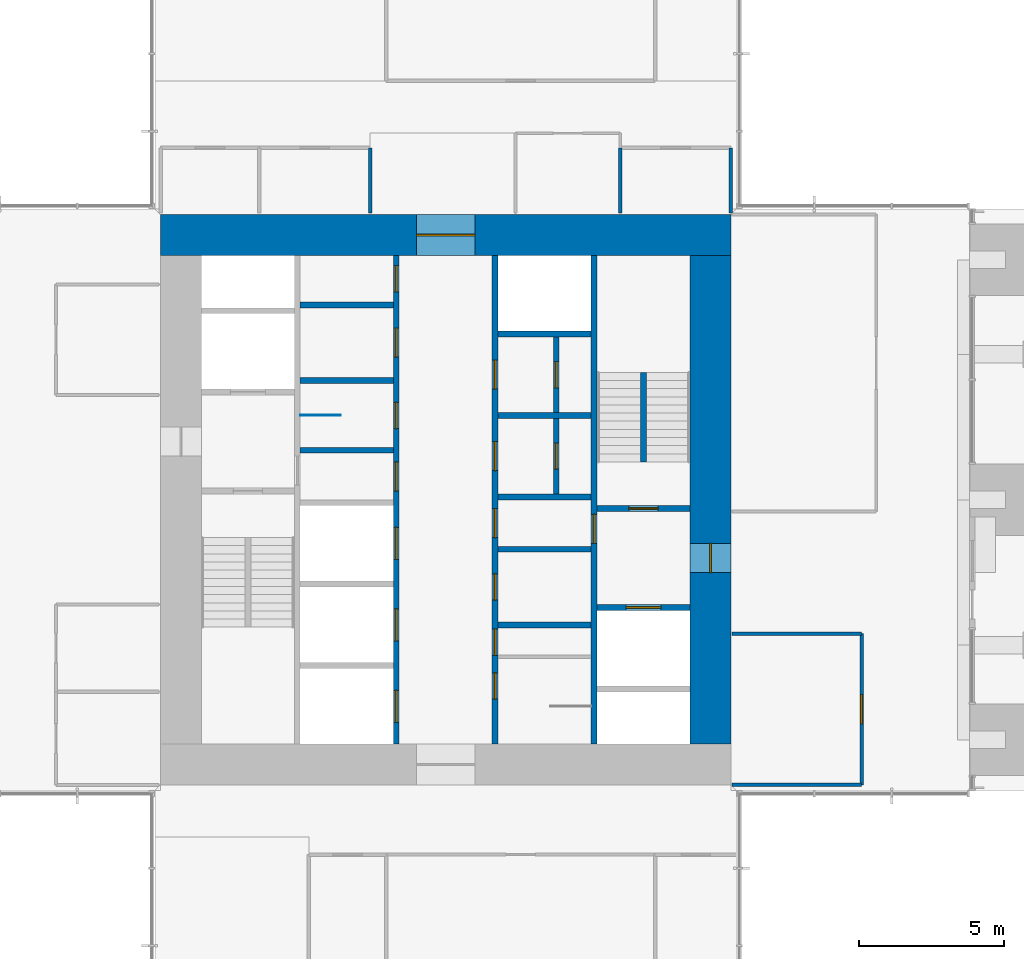
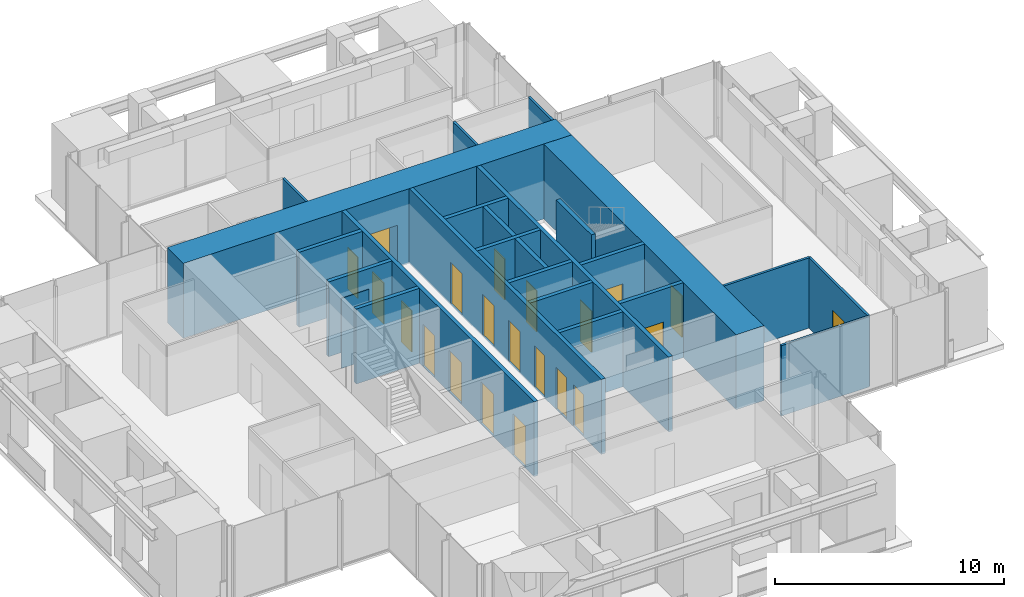
# One storey, part 13 of 17: 25 walls, 21 doors, 21 openings.
"""IFC4 building model written with IfcOpenShell, lengths in metres."""

from ifc_helpers import new_model, si_unit, direction, frame, frame_2d, origin, place, context, subcontext, project, spatial, rectangle, extrude, material, layer, layer_set, type_object, element, fill, save


model = new_model("IFC4")

# Units and contexts
model_context = context("Model", 3, precision=1e-05, world=origin(), true_north=direction((0.0, 1.0)))
body_context = subcontext(model_context, "Body", "Model", "MODEL_VIEW")
ifc_project = project(units=[si_unit("LENGTHUNIT", "METRE"), si_unit("AREAUNIT", "SQUARE_METRE"), si_unit("VOLUMEUNIT", "CUBIC_METRE"), si_unit("PLANEANGLEUNIT", "RADIAN"), si_unit("MASSUNIT", "GRAM", prefix="KILO")], contexts=[model_context])

# Site, building, storey
site_placement = place(None, origin())
site = spatial("IfcSite", under=ifc_project, at=site_placement, CompositionType="ELEMENT")
building_placement = place(site_placement, origin())
building = spatial("IfcBuilding", under=site, at=building_placement, Name="Svetlomir Tower", CompositionType="ELEMENT")
storey_placement = place(building_placement, frame((0.0, 0.0, 218.5)))
storey = spatial("IfcBuildingStorey", under=building, at=storey_placement, Name="L52", CompositionType="ELEMENT", Elevation=218.5)

# Wall, openings, doors
ifc_material_1 = material(Name="Concrete C60/75", Category="concrete")
ifc_layer_1 = layer(ifc_material_1, 0.199951171875)
ifc_layer_set_1 = layer_set([ifc_layer_1], Name="Concrete C60/75")
wall_type_1 = type_object("IfcWallType", Name="CORE INNER WALL 200", PredefinedType="SHEAR", material=ifc_layer_set_1)
wall_1_placement = place(storey_placement, frame((19.300048828125, 12.60009765625, -0.050048828125), z_axis=(0.0, 0.0, 1.0), x_axis=(0.0, 1.0, 0.0)))
wall_1 = element("IfcWall", 1, at=wall_1_placement, inside=storey, type_object=wall_type_1, Name="Core inner wall 19.3 L52", PredefinedType="SHEAR", context=body_context, shape_type="SweptSolid", body=[
    extrude(rectangle(XDim=16.7998046875, YDim=0.199951171875, at=frame_2d((8.39990234375, 0.0))), origin(), (0.0, 0.0, 1.0), 4.0),
])
opening_1_placement = place(wall_1_placement, frame((8.699951171875, 0.0, 0.050048828125)))
opening_1 = element("IfcOpeningElement", 2, at=opening_1_placement, cuts=wall_1, Name="Opening DC", PredefinedType="OPENING", context=body_context, shape_type="SweptSolid", body=[
    extrude(rectangle(XDim=1.0, YDim=2.199951171875, at=frame_2d((0.5, 1.10009765625))), frame((0.0, 0.10986328125, 0.0), z_axis=(0.0, -1.0, 0.0), x_axis=(1.0, 0.0, 0.0)), (0.0, 0.0, 1.0), 0.219970703125),
])
opening_2_placement = place(wall_1_placement, frame((10.85009765625, 0.0, 0.050048828125)))
opening_2 = element("IfcOpeningElement", 3, at=opening_2_placement, cuts=wall_1, Name="Opening DW", PredefinedType="OPENING", context=body_context, shape_type="SweptSolid", body=[
    extrude(rectangle(XDim=0.89990234375, YDim=2.199951171875, at=frame_2d((0.449951171875, 1.10009765625))), frame((0.0, 0.10986328125, 0.0), z_axis=(0.0, -1.0, 0.0), x_axis=(1.0, 0.0, 0.0)), (0.0, 0.0, 1.0), 0.219970703125),
])
opening_3_placement = place(wall_1_placement, frame((13.300048828125, 0.0, 0.050048828125)))
opening_3 = element("IfcOpeningElement", 4, at=opening_3_placement, cuts=wall_1, Name="Opening DC", PredefinedType="OPENING", context=body_context, shape_type="SweptSolid", body=[
    extrude(rectangle(XDim=1.0, YDim=2.199951171875, at=frame_2d((0.5, 1.10009765625))), frame((0.0, 0.10986328125, 0.0), z_axis=(0.0, -1.0, 0.0), x_axis=(1.0, 0.0, 0.0)), (0.0, 0.0, 1.0), 0.219970703125),
])
opening_4_placement = place(wall_1_placement, frame((15.550048828125, 0.0, 0.050048828125)))
opening_4 = element("IfcOpeningElement", 5, at=opening_4_placement, cuts=wall_1, Name="Opening DW", PredefinedType="OPENING", context=body_context, shape_type="SweptSolid", body=[
    extrude(rectangle(XDim=0.89990234375, YDim=2.199951171875, at=frame_2d((0.449951171875, 1.10009765625))), frame((0.0, 0.10986328125, 0.0), z_axis=(0.0, -1.0, 0.0), x_axis=(1.0, 0.0, 0.0)), (0.0, 0.0, 1.0), 0.219970703125),
])
opening_5_placement = place(wall_1_placement, frame((0.75, 0.0, 0.050048828125)))
opening_5 = element("IfcOpeningElement", 6, at=opening_5_placement, cuts=wall_1, Name="Opening LD", PredefinedType="OPENING", context=body_context, shape_type="SweptSolid", body=[
    extrude(rectangle(XDim=1.10009765625, YDim=2.199951171875, at=frame_2d((0.550048828125, 1.10009765625))), frame((0.0, 0.10986328125, 0.0), z_axis=(0.0, -1.0, 0.0), x_axis=(1.0, 0.0, 0.0)), (0.0, 0.0, 1.0), 0.219970703125),
])
opening_6_placement = place(wall_1_placement, frame((3.550048828125, 0.0, 0.050048828125)))
opening_6 = element("IfcOpeningElement", 7, at=opening_6_placement, cuts=wall_1, Name="Opening LD", PredefinedType="OPENING", context=body_context, shape_type="SweptSolid", body=[
    extrude(rectangle(XDim=1.10009765625, YDim=2.199951171875, at=frame_2d((0.550048828125, 1.10009765625))), frame((0.0, 0.10986328125, 0.0), z_axis=(0.0, -1.0, 0.0), x_axis=(1.0, 0.0, 0.0)), (0.0, 0.0, 1.0), 0.219970703125),
])
opening_7_placement = place(wall_1_placement, frame((6.35009765625, 0.0, 0.050048828125)))
opening_7 = element("IfcOpeningElement", 8, at=opening_7_placement, cuts=wall_1, Name="Opening LD", PredefinedType="OPENING", context=body_context, shape_type="SweptSolid", body=[
    extrude(rectangle(XDim=1.10009765625, YDim=2.199951171875, at=frame_2d((0.550048828125, 1.10009765625))), frame((0.0, 0.10986328125, 0.0), z_axis=(0.0, -1.0, 0.0), x_axis=(1.0, 0.0, 0.0)), (0.0, 0.0, 1.0), 0.219970703125),
])
ifc_material_2 = material(Name="Timber fire door", Category="wood")
door_type_1 = type_object("IfcDoorType", Name="DOOR DC 1000x2200", OperationType="SINGLE_SWING_LEFT", PredefinedType="DOOR", material=ifc_material_2)
door_1_placement = place(opening_1_placement, origin())
door_1 = element("IfcDoor", 9, at=door_1_placement, inside=storey, type_object=door_type_1, Name="Core corridor west lobby door L52", OperationType="SINGLE_SWING_RIGHT", OverallHeight=2.199951171875, OverallWidth=1.0, PredefinedType="DOOR", context=body_context, shape_type="SweptSolid", body=[
    extrude(rectangle(XDim=1.0, YDim=2.199951171875, at=frame_2d((0.5, 1.10009765625))), frame((0.0, 0.02490234375, 0.0), z_axis=(0.0, -1.0, 0.0), x_axis=(1.0, 0.0, 0.0)), (0.0, 0.0, 1.0), 0.050048828125),
])
fill(opening_1, door_1)
door_2_placement = place(opening_3_placement, origin())
door_2 = element("IfcDoor", 10, at=door_2_placement, inside=storey, type_object=door_type_1, Name="Accessible WC door L52", OperationType="SINGLE_SWING_LEFT", OverallHeight=2.199951171875, OverallWidth=1.0, PredefinedType="DOOR", context=body_context, shape_type="SweptSolid", body=[
    extrude(rectangle(XDim=1.0, YDim=2.199951171875, at=frame_2d((0.5, 1.10009765625))), frame((0.0, 0.02490234375, 0.0), z_axis=(0.0, -1.0, 0.0), x_axis=(1.0, 0.0, 0.0)), (0.0, 0.0, 1.0), 0.050048828125),
])
fill(opening_3, door_2)
ifc_material_3 = material(Name="Timber fire door", Category="wood")
door_type_2 = type_object("IfcDoorType", Name="DOOR DW 900x2200", OperationType="SINGLE_SWING_LEFT", PredefinedType="DOOR", material=ifc_material_3)
door_3_placement = place(opening_2_placement, origin())
door_3 = element("IfcDoor", 11, at=door_3_placement, inside=storey, type_object=door_type_2, Name="Female WC door L52", OperationType="SINGLE_SWING_RIGHT", OverallHeight=2.199951171875, OverallWidth=0.89990234375, PredefinedType="DOOR", context=body_context, shape_type="SweptSolid", body=[
    extrude(rectangle(XDim=0.89990234375, YDim=2.199951171875, at=frame_2d((0.449951171875, 1.10009765625))), frame((0.0, 0.02490234375, 0.0), z_axis=(0.0, -1.0, 0.0), x_axis=(1.0, 0.0, 0.0)), (0.0, 0.0, 1.0), 0.050048828125),
])
fill(opening_2, door_3)
door_4_placement = place(opening_4_placement, origin())
door_4 = element("IfcDoor", 12, at=door_4_placement, inside=storey, type_object=door_type_2, Name="Cleaner's store door L52", OperationType="SINGLE_SWING_RIGHT", OverallHeight=2.199951171875, OverallWidth=0.89990234375, PredefinedType="DOOR", context=body_context, shape_type="SweptSolid", body=[
    extrude(rectangle(XDim=0.89990234375, YDim=2.199951171875, at=frame_2d((0.449951171875, 1.10009765625))), frame((0.0, 0.02490234375, 0.0), z_axis=(0.0, -1.0, 0.0), x_axis=(1.0, 0.0, 0.0)), (0.0, 0.0, 1.0), 0.050048828125),
])
fill(opening_4, door_4)
ifc_material_4 = material(Name="Stainless steel landing door", Category="steel")
door_type_3 = type_object("IfcDoorType", Name="LIFT LANDING DOOR LD 1100x2200", OperationType="DOUBLE_DOOR_SLIDING", PredefinedType="DOOR", material=ifc_material_4)
door_5_placement = place(opening_5_placement, origin())
door_5 = element("IfcDoor", 13, at=door_5_placement, inside=storey, type_object=door_type_3, Name="Landing door lift LC1 L52", OperationType="DOUBLE_DOOR_SLIDING", OverallHeight=2.199951171875, OverallWidth=1.10009765625, PredefinedType="DOOR", context=body_context, shape_type="SweptSolid", body=[
    extrude(rectangle(XDim=1.10009765625, YDim=2.199951171875, at=frame_2d((0.550048828125, 1.10009765625))), frame((0.0, 0.02490234375, 0.0), z_axis=(0.0, -1.0, 0.0), x_axis=(1.0, 0.0, 0.0)), (0.0, 0.0, 1.0), 0.050048828125),
])
fill(opening_5, door_5)
door_6_placement = place(opening_6_placement, origin())
door_6 = element("IfcDoor", 14, at=door_6_placement, inside=storey, type_object=door_type_3, Name="Landing door lift LC2 L52", OperationType="DOUBLE_DOOR_SLIDING", OverallHeight=2.199951171875, OverallWidth=1.10009765625, PredefinedType="DOOR", context=body_context, shape_type="SweptSolid", body=[
    extrude(rectangle(XDim=1.10009765625, YDim=2.199951171875, at=frame_2d((0.550048828125, 1.10009765625))), frame((0.0, 0.02490234375, 0.0), z_axis=(0.0, -1.0, 0.0), x_axis=(1.0, 0.0, 0.0)), (0.0, 0.0, 1.0), 0.050048828125),
])
fill(opening_6, door_6)
door_7_placement = place(opening_7_placement, origin())
door_7 = element("IfcDoor", 15, at=door_7_placement, inside=storey, type_object=door_type_3, Name="Landing door lift LC3 L52", OperationType="DOUBLE_DOOR_SLIDING", OverallHeight=2.199951171875, OverallWidth=1.10009765625, PredefinedType="DOOR", context=body_context, shape_type="SweptSolid", body=[
    extrude(rectangle(XDim=1.10009765625, YDim=2.199951171875, at=frame_2d((0.550048828125, 1.10009765625))), frame((0.0, 0.02490234375, 0.0), z_axis=(0.0, -1.0, 0.0), x_axis=(1.0, 0.0, 0.0)), (0.0, 0.0, 1.0), 0.050048828125),
])
fill(opening_7, door_7)

wall_2_placement = place(storey_placement, frame((22.699951171875, 12.60009765625, -0.050048828125), z_axis=(0.0, 0.0, 1.0), x_axis=(0.0, 1.0, 0.0)))
wall_2 = element("IfcWall", 16, at=wall_2_placement, inside=storey, type_object=wall_type_1, Name="Core inner wall 22.7 L52", PredefinedType="SHEAR", context=body_context, shape_type="SweptSolid", body=[
    extrude(rectangle(XDim=16.7998046875, YDim=0.199951171875, at=frame_2d((8.39990234375, 0.0))), origin(), (0.0, 0.0, 1.0), 4.0),
])
opening_8_placement = place(wall_2_placement, frame((3.050048828125, 0.0, 0.050048828125)))
opening_8 = element("IfcOpeningElement", 17, at=opening_8_placement, cuts=wall_2, Name="Opening DW", PredefinedType="OPENING", context=body_context, shape_type="SweptSolid", body=[
    extrude(rectangle(XDim=0.89990234375, YDim=2.199951171875, at=frame_2d((0.449951171875, 1.10009765625))), frame((0.0, 0.10986328125, 0.0), z_axis=(0.0, -1.0, 0.0), x_axis=(1.0, 0.0, 0.0)), (0.0, 0.0, 1.0), 0.219970703125),
])
opening_9_placement = place(wall_2_placement, frame((7.10009765625, 0.0, 0.050048828125)))
opening_9 = element("IfcOpeningElement", 18, at=opening_9_placement, cuts=wall_2, Name="Opening DC", PredefinedType="OPENING", context=body_context, shape_type="SweptSolid", body=[
    extrude(rectangle(XDim=1.0, YDim=2.199951171875, at=frame_2d((0.5, 1.10009765625))), frame((0.0, 0.10986328125, 0.0), z_axis=(0.0, -1.0, 0.0), x_axis=(1.0, 0.0, 0.0)), (0.0, 0.0, 1.0), 0.219970703125),
])
opening_10_placement = place(wall_2_placement, frame((1.550048828125, 0.0, 0.050048828125)))
opening_10 = element("IfcOpeningElement", 19, at=opening_10_placement, cuts=wall_2, Name="Opening DW", PredefinedType="OPENING", context=body_context, shape_type="SweptSolid", body=[
    extrude(rectangle(XDim=0.89990234375, YDim=2.199951171875, at=frame_2d((0.449951171875, 1.10009765625))), frame((0.0, 0.10986328125, 0.0), z_axis=(0.0, -1.0, 0.0), x_axis=(1.0, 0.0, 0.0)), (0.0, 0.0, 1.0), 0.219970703125),
])
opening_11_placement = place(wall_2_placement, frame((4.949951171875, 0.0, 0.050048828125)))
opening_11 = element("IfcOpeningElement", 20, at=opening_11_placement, cuts=wall_2, Name="Opening DW", PredefinedType="OPENING", context=body_context, shape_type="SweptSolid", body=[
    extrude(rectangle(XDim=0.89990234375, YDim=2.199951171875, at=frame_2d((0.449951171875, 1.10009765625))), frame((0.0, 0.10986328125, 0.0), z_axis=(0.0, -1.0, 0.0), x_axis=(1.0, 0.0, 0.0)), (0.0, 0.0, 1.0), 0.219970703125),
])
opening_12_placement = place(wall_2_placement, frame((9.39990234375, 0.0, 0.050048828125)))
opening_12 = element("IfcOpeningElement", 21, at=opening_12_placement, cuts=wall_2, Name="Opening DC", PredefinedType="OPENING", context=body_context, shape_type="SweptSolid", body=[
    extrude(rectangle(XDim=1.0, YDim=2.199951171875, at=frame_2d((0.5, 1.10009765625))), frame((0.0, 0.10986328125, 0.0), z_axis=(0.0, -1.0, 0.0), x_axis=(1.0, 0.0, 0.0)), (0.0, 0.0, 1.0), 0.219970703125),
])
opening_13_placement = place(wall_2_placement, frame((12.199951171875, 0.0, 0.050048828125)))
opening_13 = element("IfcOpeningElement", 22, at=opening_13_placement, cuts=wall_2, Name="Opening DC", PredefinedType="OPENING", context=body_context, shape_type="SweptSolid", body=[
    extrude(rectangle(XDim=1.0, YDim=2.199951171875, at=frame_2d((0.5, 1.10009765625))), frame((0.0, 0.10986328125, 0.0), z_axis=(0.0, -1.0, 0.0), x_axis=(1.0, 0.0, 0.0)), (0.0, 0.0, 1.0), 0.219970703125),
])
door_8_placement = place(opening_9_placement, origin())
door_8 = element("IfcDoor", 23, at=door_8_placement, inside=storey, type_object=door_type_1, Name="Core corridor east lobby door L52", OperationType="SINGLE_SWING_LEFT", OverallHeight=2.199951171875, OverallWidth=1.0, PredefinedType="DOOR", context=body_context, shape_type="SweptSolid", body=[
    extrude(rectangle(XDim=1.0, YDim=2.199951171875, at=frame_2d((0.5, 1.10009765625))), frame((0.0, 0.02490234375, 0.0), z_axis=(0.0, -1.0, 0.0), x_axis=(1.0, 0.0, 0.0)), (0.0, 0.0, 1.0), 0.050048828125),
])
fill(opening_9, door_8)
door_9_placement = place(opening_12_placement, origin())
door_9 = element("IfcDoor", 24, at=door_9_placement, inside=storey, type_object=door_type_1, Name="Converted shaft BANK-E1 room door L52", OperationType="SINGLE_SWING_LEFT", OverallHeight=2.199951171875, OverallWidth=1.0, PredefinedType="DOOR", context=body_context, shape_type="SweptSolid", body=[
    extrude(rectangle(XDim=1.0, YDim=2.199951171875, at=frame_2d((0.5, 1.10009765625))), frame((0.0, 0.02490234375, 0.0), z_axis=(0.0, -1.0, 0.0), x_axis=(1.0, 0.0, 0.0)), (0.0, 0.0, 1.0), 0.050048828125),
])
fill(opening_12, door_9)
door_10_placement = place(opening_13_placement, origin())
door_10 = element("IfcDoor", 25, at=door_10_placement, inside=storey, type_object=door_type_1, Name="Converted shaft BANK-E2 room door L52", OperationType="SINGLE_SWING_LEFT", OverallHeight=2.199951171875, OverallWidth=1.0, PredefinedType="DOOR", context=body_context, shape_type="SweptSolid", body=[
    extrude(rectangle(XDim=1.0, YDim=2.199951171875, at=frame_2d((0.5, 1.10009765625))), frame((0.0, 0.02490234375, 0.0), z_axis=(0.0, -1.0, 0.0), x_axis=(1.0, 0.0, 0.0)), (0.0, 0.0, 1.0), 0.050048828125),
])
fill(opening_13, door_10)
door_11_placement = place(opening_8_placement, origin())
door_11 = element("IfcDoor", 26, at=door_11_placement, inside=storey, type_object=door_type_2, Name="Shower and changing room door L52", OperationType="SINGLE_SWING_LEFT", OverallHeight=2.199951171875, OverallWidth=0.89990234375, PredefinedType="DOOR", context=body_context, shape_type="SweptSolid", body=[
    extrude(rectangle(XDim=0.89990234375, YDim=2.199951171875, at=frame_2d((0.449951171875, 1.10009765625))), frame((0.0, 0.02490234375, 0.0), z_axis=(0.0, -1.0, 0.0), x_axis=(1.0, 0.0, 0.0)), (0.0, 0.0, 1.0), 0.050048828125),
])
fill(opening_8, door_11)
door_12_placement = place(opening_10_placement, origin())
door_12 = element("IfcDoor", 27, at=door_12_placement, inside=storey, type_object=door_type_2, Name="Male WC door L52", OperationType="SINGLE_SWING_RIGHT", OverallHeight=2.199951171875, OverallWidth=0.89990234375, PredefinedType="DOOR", context=body_context, shape_type="SweptSolid", body=[
    extrude(rectangle(XDim=0.89990234375, YDim=2.199951171875, at=frame_2d((0.449951171875, 1.10009765625))), frame((0.0, 0.02490234375, 0.0), z_axis=(0.0, -1.0, 0.0), x_axis=(1.0, 0.0, 0.0)), (0.0, 0.0, 1.0), 0.050048828125),
])
fill(opening_10, door_12)
door_13_placement = place(opening_11_placement, origin())
door_13 = element("IfcDoor", 28, at=door_13_placement, inside=storey, type_object=door_type_2, Name="Comms room door L52", OperationType="SINGLE_SWING_RIGHT", OverallHeight=2.199951171875, OverallWidth=0.89990234375, PredefinedType="DOOR", context=body_context, shape_type="SweptSolid", body=[
    extrude(rectangle(XDim=0.89990234375, YDim=2.199951171875, at=frame_2d((0.449951171875, 1.10009765625))), frame((0.0, 0.02490234375, 0.0), z_axis=(0.0, -1.0, 0.0), x_axis=(1.0, 0.0, 0.0)), (0.0, 0.0, 1.0), 0.050048828125),
])
fill(opening_11, door_13)

# Wall, opening, door
wall_3_placement = place(storey_placement, frame((26.10009765625, 12.60009765625, -0.050048828125), z_axis=(0.0, 0.0, 1.0), x_axis=(0.0, 1.0, 0.0)))
wall_3 = element("IfcWall", 29, at=wall_3_placement, inside=storey, type_object=wall_type_1, Name="Core inner wall 26.1 L52", PredefinedType="SHEAR", context=body_context, shape_type="SweptSolid", body=[
    extrude(rectangle(XDim=16.7998046875, YDim=0.199951171875, at=frame_2d((8.39990234375, 0.0))), origin(), (0.0, 0.0, 1.0), 4.0),
])
opening_14_placement = place(wall_3_placement, frame((6.89990234375, 0.0, 0.050048828125)))
opening_14 = element("IfcOpeningElement", 30, at=opening_14_placement, cuts=wall_3, Name="Opening DF", PredefinedType="OPENING", context=body_context, shape_type="SweptSolid", body=[
    extrude(rectangle(XDim=1.0, YDim=2.199951171875, at=frame_2d((0.5, 1.10009765625))), frame((0.0, 0.10986328125, 0.0), z_axis=(0.0, -1.0, 0.0), x_axis=(1.0, 0.0, 0.0)), (0.0, 0.0, 1.0), 0.219970703125),
])
ifc_material_5 = material(Name="Steel fire door", Category="steel")
door_type_4 = type_object("IfcDoorType", Name="DOOR DF 1000x2200", OperationType="SINGLE_SWING_LEFT", PredefinedType="DOOR", material=ifc_material_5)
door_14_placement = place(opening_14_placement, origin())
door_14 = element("IfcDoor", 31, at=door_14_placement, inside=storey, type_object=door_type_4, Name="Core corridor east door L52", OperationType="SINGLE_SWING_LEFT", OverallHeight=2.199951171875, OverallWidth=1.0, PredefinedType="DOOR", context=body_context, shape_type="SweptSolid", body=[
    extrude(rectangle(XDim=1.0, YDim=2.199951171875, at=frame_2d((0.5, 1.10009765625))), frame((0.0, 0.02490234375, 0.0), z_axis=(0.0, -1.0, 0.0), x_axis=(1.0, 0.0, 0.0)), (0.0, 0.0, 1.0), 0.050048828125),
])
fill(opening_14, door_14)

# Walls
for number, where, z_axis, x_axis, name in (
    (32, (16.0, 22.699951171875, -0.050048828125), (0.0, 0.0, 1.0), (1.0, 0.0, 0.0), "Core inner wall 16-19.2/22.7 L52"),
    (33, (16.0, 25.10009765625, -0.050048828125), (0.0, 0.0, 1.0), (1.0, 0.0, 0.0), "Core inner wall 16-19.2/25.1 L52"),
    (34, (16.0, 27.699951171875, -0.050048828125), (0.0, 0.0, 1.0), (1.0, 0.0, 0.0), "Core inner wall 16-19.2/27.7 L52"),
    (35, (22.800048828125, 16.699951171875, -0.050048828125), (0.0, 0.0, 1.0), (1.0, 0.0, 0.0), "Core inner wall 22.8-26/16.7 L52"),
    (36, (22.800048828125, 19.300048828125, -0.050048828125), (0.0, 0.0, 1.0), (1.0, 0.0, 0.0), "Core inner wall 22.8-26/19.3 L52"),
    (37, (22.800048828125, 21.10009765625, -0.050048828125), (0.0, 0.0, 1.0), (1.0, 0.0, 0.0), "Core inner wall 22.8-26/21.1 L52"),
    (38, (22.800048828125, 23.89990234375, -0.050048828125), (0.0, 0.0, 1.0), (1.0, 0.0, 0.0), "Core inner wall 22.8-26/23.9 L52"),
    (39, (22.800048828125, 26.699951171875, -0.050048828125), (0.0, 0.0, 1.0), (1.0, 0.0, 0.0), "Core inner wall 22.8-26/26.7 L52"),
):
    element("IfcWall", number, at=place(storey_placement, frame(where, z_axis=z_axis, x_axis=x_axis)), inside=storey, type_object=wall_type_1, Name=name, PredefinedType="SHEAR", context=body_context, shape_type="SweptSolid", body=[
        extrude(rectangle(XDim=3.199951171875, YDim=0.199951171875, at=frame_2d((1.60009765625, 0.0))), origin(), (0.0, 0.0, 1.0), 4.0),
    ])

# Wall, opening, door
wall_4_placement = place(storey_placement, frame((26.199951171875, 17.300048828125, -0.050048828125), z_axis=(0.0, 0.0, 1.0), x_axis=(1.0, 0.0, 0.0)))
wall_4 = element("IfcWall", 40, at=wall_4_placement, inside=storey, type_object=wall_type_1, Name="Core inner wall 26.2-29.4/17.3 L52", PredefinedType="SHEAR", context=body_context, shape_type="SweptSolid", body=[
    extrude(rectangle(XDim=3.199951171875, YDim=0.199951171875, at=frame_2d((1.60009765625, 0.0))), origin(), (0.0, 0.0, 1.0), 4.0),
])
opening_15_placement = place(wall_4_placement, frame((1.0, 0.0, 0.050048828125)))
opening_15 = element("IfcOpeningElement", 41, at=opening_15_placement, cuts=wall_4, Name="Opening LD3", PredefinedType="OPENING", context=body_context, shape_type="SweptSolid", body=[
    extrude(rectangle(XDim=1.199951171875, YDim=2.199951171875, at=frame_2d((0.60009765625, 1.10009765625))), frame((0.0, 0.10986328125, 0.0), z_axis=(0.0, -1.0, 0.0), x_axis=(1.0, 0.0, 0.0)), (0.0, 0.0, 1.0), 0.219970703125),
])
ifc_material_6 = material(Name="Stainless steel fire-rated landing door", Category="steel")
door_type_5 = type_object("IfcDoorType", Name="FIREFIGHTING LIFT LANDING DOOR LD3 1200x2200", OperationType="DOUBLE_DOOR_SLIDING", PredefinedType="DOOR", material=ifc_material_6)
door_15_placement = place(opening_15_placement, origin())
door_15 = element("IfcDoor", 42, at=door_15_placement, inside=storey, type_object=door_type_5, Name="Landing door lift FL2 L52", OperationType="DOUBLE_DOOR_SLIDING", OverallHeight=2.199951171875, OverallWidth=1.199951171875, PredefinedType="DOOR", context=body_context, shape_type="SweptSolid", body=[
    extrude(rectangle(XDim=1.199951171875, YDim=2.199951171875, at=frame_2d((0.60009765625, 1.10009765625))), frame((0.0, 0.02490234375, 0.0), z_axis=(0.0, -1.0, 0.0), x_axis=(1.0, 0.0, 0.0)), (0.0, 0.0, 1.0), 0.050048828125),
])
fill(opening_15, door_15)

wall_5_placement = place(storey_placement, frame((26.199951171875, 20.699951171875, -0.050048828125), z_axis=(0.0, 0.0, 1.0), x_axis=(1.0, 0.0, 0.0)))
wall_5 = element("IfcWall", 43, at=wall_5_placement, inside=storey, type_object=wall_type_1, Name="Core inner wall 26.2-29.4/20.7 L52", PredefinedType="SHEAR", context=body_context, shape_type="SweptSolid", body=[
    extrude(rectangle(XDim=3.199951171875, YDim=0.199951171875, at=frame_2d((1.60009765625, 0.0))), origin(), (0.0, 0.0, 1.0), 4.0),
])
opening_16_placement = place(wall_5_placement, frame((1.10009765625, 0.0, 0.050048828125)))
opening_16 = element("IfcOpeningElement", 44, at=opening_16_placement, cuts=wall_5, Name="Opening DF", PredefinedType="OPENING", context=body_context, shape_type="SweptSolid", body=[
    extrude(rectangle(XDim=1.0, YDim=2.199951171875, at=frame_2d((0.5, 1.10009765625))), frame((0.0, 0.10986328125, 0.0), z_axis=(0.0, -1.0, 0.0), x_axis=(1.0, 0.0, 0.0)), (0.0, 0.0, 1.0), 0.219970703125),
])
door_16_placement = place(opening_16_placement, origin())
door_16 = element("IfcDoor", 45, at=door_16_placement, inside=storey, type_object=door_type_4, Name="Stair S2 door L52", OperationType="SINGLE_SWING_LEFT", OverallHeight=2.199951171875, OverallWidth=1.0, PredefinedType="DOOR", context=body_context, shape_type="SweptSolid", body=[
    extrude(rectangle(XDim=1.0, YDim=2.199951171875, at=frame_2d((0.5, 1.10009765625))), frame((0.0, 0.02490234375, 0.0), z_axis=(0.0, -1.0, 0.0), x_axis=(1.0, 0.0, 0.0)), (0.0, 0.0, 1.0), 0.050048828125),
])
fill(opening_16, door_16)

wall_6_placement = place(storey_placement, frame((24.800048828125, 21.199951171875, -0.050048828125), z_axis=(0.0, 0.0, 1.0), x_axis=(0.0, 1.0, 0.0)))
wall_6 = element("IfcWall", 46, at=wall_6_placement, inside=storey, type_object=wall_type_1, Name="Core inner wall 24.8/21.2-23.8 L52", PredefinedType="SHEAR", context=body_context, shape_type="SweptSolid", body=[
    extrude(rectangle(XDim=2.60009765625, YDim=0.199951171875, at=frame_2d((1.300048828125, 0.0))), origin(), (0.0, 0.0, 1.0), 4.0),
])
opening_17_placement = place(wall_6_placement, frame((0.85009765625, 0.0, 0.050048828125)))
opening_17 = element("IfcOpeningElement", 47, at=opening_17_placement, cuts=wall_6, Name="Opening DW", PredefinedType="OPENING", context=body_context, shape_type="SweptSolid", body=[
    extrude(rectangle(XDim=0.89990234375, YDim=2.199951171875, at=frame_2d((0.449951171875, 1.10009765625))), frame((0.0, 0.10986328125, 0.0), z_axis=(0.0, -1.0, 0.0), x_axis=(1.0, 0.0, 0.0)), (0.0, 0.0, 1.0), 0.219970703125),
])
door_17_placement = place(opening_17_placement, origin())
door_17 = element("IfcDoor", 48, at=door_17_placement, inside=storey, type_object=door_type_2, Name="Converted shaft BANK-E1 back room door L52", OperationType="SINGLE_SWING_RIGHT", OverallHeight=2.199951171875, OverallWidth=0.89990234375, PredefinedType="DOOR", context=body_context, shape_type="SweptSolid", body=[
    extrude(rectangle(XDim=0.89990234375, YDim=2.199951171875, at=frame_2d((0.449951171875, 1.10009765625))), frame((0.0, 0.02490234375, 0.0), z_axis=(0.0, -1.0, 0.0), x_axis=(1.0, 0.0, 0.0)), (0.0, 0.0, 1.0), 0.050048828125),
])
fill(opening_17, door_17)

wall_7_placement = place(storey_placement, frame((24.800048828125, 24.0, -0.050048828125), z_axis=(0.0, 0.0, 1.0), x_axis=(0.0, 1.0, 0.0)))
wall_7 = element("IfcWall", 49, at=wall_7_placement, inside=storey, type_object=wall_type_1, Name="Core inner wall 24.8/24-26.6 L52", PredefinedType="SHEAR", context=body_context, shape_type="SweptSolid", body=[
    extrude(rectangle(XDim=2.60009765625, YDim=0.199951171875, at=frame_2d((1.300048828125, 0.0))), origin(), (0.0, 0.0, 1.0), 4.0),
])
opening_18_placement = place(wall_7_placement, frame((0.85009765625, 0.0, 0.050048828125)))
opening_18 = element("IfcOpeningElement", 50, at=opening_18_placement, cuts=wall_7, Name="Opening DW", PredefinedType="OPENING", context=body_context, shape_type="SweptSolid", body=[
    extrude(rectangle(XDim=0.89990234375, YDim=2.199951171875, at=frame_2d((0.449951171875, 1.10009765625))), frame((0.0, 0.10986328125, 0.0), z_axis=(0.0, -1.0, 0.0), x_axis=(1.0, 0.0, 0.0)), (0.0, 0.0, 1.0), 0.219970703125),
])
door_18_placement = place(opening_18_placement, origin())
door_18 = element("IfcDoor", 51, at=door_18_placement, inside=storey, type_object=door_type_2, Name="Converted shaft BANK-E2 back room door L52", OperationType="SINGLE_SWING_RIGHT", OverallHeight=2.199951171875, OverallWidth=0.89990234375, PredefinedType="DOOR", context=body_context, shape_type="SweptSolid", body=[
    extrude(rectangle(XDim=0.89990234375, YDim=2.199951171875, at=frame_2d((0.449951171875, 1.10009765625))), frame((0.0, 0.02490234375, 0.0), z_axis=(0.0, -1.0, 0.0), x_axis=(1.0, 0.0, 0.0)), (0.0, 0.0, 1.0), 0.050048828125),
])
fill(opening_18, door_18)

ifc_material_7 = material(Name="Concrete C60/75", Category="concrete")
ifc_layer_2 = layer(ifc_material_7, 1.39990234375)
ifc_layer_set_2 = layer_set([ifc_layer_2], Name="Concrete C60/75")
wall_type_2 = type_object("IfcWallType", Name="CORE WALL 1400", PredefinedType="SHEAR", material=ifc_layer_set_2)
wall_8_placement = place(storey_placement, frame((11.199951171875, 30.10009765625, -0.050048828125), z_axis=(0.0, 0.0, 1.0), x_axis=(1.0, 0.0, 0.0)))
wall_8 = element("IfcWall", 52, at=wall_8_placement, inside=storey, type_object=wall_type_2, Name="Core wall north L52", PredefinedType="SHEAR", context=body_context, shape_type="SweptSolid", body=[
    extrude(rectangle(XDim=19.60009765625, YDim=1.39990234375, at=frame_2d((9.800048828125, 0.0))), origin(), (0.0, 0.0, 1.0), 4.0),
])
opening_19_placement = place(wall_8_placement, frame((8.800048828125, 0.0, 0.050048828125)))
opening_19 = element("IfcOpeningElement", 53, at=opening_19_placement, cuts=wall_8, Name="Opening DL", PredefinedType="OPENING", context=body_context, shape_type="SweptSolid", body=[
    extrude(rectangle(XDim=2.0, YDim=2.199951171875, at=frame_2d((1.0, 1.10009765625))), frame((0.0, 0.7099609375, 0.0), z_axis=(0.0, -1.0, 0.0), x_axis=(1.0, 0.0, 0.0)), (0.0, 0.0, 1.0), 1.419921875),
])
ifc_material_8 = material(Name="Steel fire door", Category="steel")
door_type_6 = type_object("IfcDoorType", Name="DOOR DL 2000x2200", OperationType="DOUBLE_DOOR_SINGLE_SWING", PredefinedType="DOOR", material=ifc_material_8)
door_19_placement = place(opening_19_placement, origin())
door_19 = element("IfcDoor", 54, at=door_19_placement, inside=storey, type_object=door_type_6, Name="Lift lobby north door L52", OperationType="DOUBLE_DOOR_SINGLE_SWING", OverallHeight=2.199951171875, OverallWidth=2.0, PredefinedType="DOOR", context=body_context, shape_type="SweptSolid", body=[
    extrude(rectangle(XDim=2.0, YDim=2.199951171875, at=frame_2d((1.0, 1.10009765625))), frame((0.0, 0.02490234375, 0.0), z_axis=(0.0, -1.0, 0.0), x_axis=(1.0, 0.0, 0.0)), (0.0, 0.0, 1.0), 0.050048828125),
])
fill(opening_19, door_19)

wall_9_placement = place(storey_placement, frame((30.10009765625, 12.60009765625, -0.050048828125), z_axis=(0.0, 0.0, 1.0), x_axis=(0.0, 1.0, 0.0)))
wall_9 = element("IfcWall", 55, at=wall_9_placement, inside=storey, type_object=wall_type_2, Name="Core wall east L52", PredefinedType="SHEAR", context=body_context, shape_type="SweptSolid", body=[
    extrude(rectangle(XDim=16.7998046875, YDim=1.39990234375, at=frame_2d((8.39990234375, 0.0))), origin(), (0.0, 0.0, 1.0), 4.0),
])
opening_20_placement = place(wall_9_placement, frame((5.89990234375, 0.0, 0.050048828125)))
opening_20 = element("IfcOpeningElement", 56, at=opening_20_placement, cuts=wall_9, Name="Opening DF", PredefinedType="OPENING", context=body_context, shape_type="SweptSolid", body=[
    extrude(rectangle(XDim=1.0, YDim=2.199951171875, at=frame_2d((0.5, 1.10009765625))), frame((0.0, 0.7099609375, 0.0), z_axis=(0.0, -1.0, 0.0), x_axis=(1.0, 0.0, 0.0)), (0.0, 0.0, 1.0), 1.419921875),
])
door_20_placement = place(opening_20_placement, origin())
door_20 = element("IfcDoor", 57, at=door_20_placement, inside=storey, type_object=door_type_4, Name="Firefighting lobby east door L52", OperationType="SINGLE_SWING_LEFT", OverallHeight=2.199951171875, OverallWidth=1.0, PredefinedType="DOOR", context=body_context, shape_type="SweptSolid", body=[
    extrude(rectangle(XDim=1.0, YDim=2.199951171875, at=frame_2d((0.5, 1.10009765625))), frame((0.0, 0.02490234375, 0.0), z_axis=(0.0, -1.0, 0.0), x_axis=(1.0, 0.0, 0.0)), (0.0, 0.0, 1.0), 0.050048828125),
])
fill(opening_20, door_20)

# Walls
ifc_material_9 = material(Name="Gypsum board on steel studs", Category="steel")
ifc_layer_3 = layer(ifc_material_9, 0.1201171875)
ifc_layer_set_3 = layer_set([ifc_layer_3], Name="Gypsum board on steel studs")
wall_type_3 = type_object("IfcWallType", Name="PARTITION 120", PredefinedType="PARTITIONING", material=ifc_layer_set_3)
for number, where, z_axis, x_axis, name in (
    (58, (18.39990234375, 30.85009765625, 0.0), (0.0, 0.0, 1.0), (0.0, 1.0, 0.0), "Partition L52"),
    (59, (27.0, 30.85009765625, 0.0), (0.0, 0.0, 1.0), (0.0, 1.0, 0.0), "Partition L52"),
    (60, (30.800048828125, 30.85009765625, 0.0), (0.0, 0.0, 1.0), (0.0, 1.0, 0.0), "Partition L52"),
):
    element("IfcWall", number, at=place(storey_placement, frame(where, z_axis=z_axis, x_axis=x_axis)), inside=storey, type_object=wall_type_3, Name=name, PredefinedType="PARTITIONING", context=body_context, shape_type="SweptSolid", body=[
        extrude(rectangle(XDim=2.25, YDim=0.1201171875, at=frame_2d((1.125, 0.0))), origin(), (0.0, 0.0, 1.0), 3.75),
    ])
for number, where, z_axis, x_axis, name in (
    (61, (30.85009765625, 11.199951171875, 0.0), (0.0, 0.0, 1.0), (1.0, 0.0, 0.0), "Partition L52"),
    (62, (30.85009765625, 16.39990234375, 0.0), (0.0, 0.0, 1.0), (1.0, 0.0, 0.0), "Partition L52"),
):
    element("IfcWall", number, at=place(storey_placement, frame(where, z_axis=z_axis, x_axis=x_axis)), inside=storey, type_object=wall_type_3, Name=name, PredefinedType="PARTITIONING", context=body_context, shape_type="SweptSolid", body=[
        extrude(rectangle(XDim=4.449951171875, YDim=0.1201171875, at=frame_2d((2.22509765625, 0.0))), origin(), (0.0, 0.0, 1.0), 3.75),
    ])

# Wall, opening, door
wall_10_placement = place(storey_placement, frame((35.300048828125, 11.199951171875, 0.0), z_axis=(0.0, 0.0, 1.0), x_axis=(0.0, 1.0, 0.0)))
wall_10 = element("IfcWall", 63, at=wall_10_placement, inside=storey, type_object=wall_type_3, Name="Partition L52", PredefinedType="PARTITIONING", context=body_context, shape_type="SweptSolid", body=[
    extrude(rectangle(XDim=5.199951171875, YDim=0.1201171875, at=frame_2d((2.60009765625, 0.0))), origin(), (0.0, 0.0, 1.0), 3.75),
])
opening_21_placement = place(wall_10_placement, frame((2.10009765625, 0.0, 0.0)))
opening_21 = element("IfcOpeningElement", 64, at=opening_21_placement, cuts=wall_10, Name="Opening DR", PredefinedType="OPENING", context=body_context, shape_type="SweptSolid", body=[
    extrude(rectangle(XDim=1.0, YDim=2.199951171875, at=frame_2d((0.5, 1.10009765625))), frame((0.0, 0.070068359375, 0.0), z_axis=(0.0, -1.0, 0.0), x_axis=(1.0, 0.0, 0.0)), (0.0, 0.0, 1.0), 0.14013671875),
])
ifc_material_10 = material(Name="Timber door, glazed side light", Category="wood")
door_type_7 = type_object("IfcDoorType", Name="DOOR DR 1000x2200", OperationType="SINGLE_SWING_LEFT", PredefinedType="DOOR", material=ifc_material_10)
door_21_placement = place(opening_21_placement, origin())
door_21 = element("IfcDoor", 65, at=door_21_placement, inside=storey, type_object=door_type_7, Name="Art store door L52", OperationType="SINGLE_SWING_RIGHT", OverallHeight=2.199951171875, OverallWidth=1.0, PredefinedType="DOOR", context=body_context, shape_type="SweptSolid", body=[
    extrude(rectangle(XDim=1.0, YDim=2.199951171875, at=frame_2d((0.5, 1.10009765625))), frame((0.0, 0.02490234375, 0.0), z_axis=(0.0, -1.0, 0.0), x_axis=(1.0, 0.0, 0.0)), (0.0, 0.0, 1.0), 0.050048828125),
])
fill(opening_21, door_21)

# Walls
ifc_material_11 = material(Name="Concrete C60/75", Category="concrete")
ifc_layer_4 = layer(ifc_material_11, 0.199951171875)
ifc_layer_set_4 = layer_set([ifc_layer_4], Name="Concrete C60/75")
wall_type_4 = type_object("IfcWallType", Name="STAIR SPINE WALL 200", PredefinedType="PARTITIONING", material=ifc_layer_set_4)
wall_11_placement = place(storey_placement, frame((27.800048828125, 22.300048828125, 0.0), z_axis=(0.0, 0.0, 1.0), x_axis=(0.0, 1.0, 0.0)))
element("IfcWall", 66, at=wall_11_placement, inside=storey, type_object=wall_type_4, Name="Stair S2 spine wall L52", PredefinedType="PARTITIONING", context=body_context, shape_type="SweptSolid", body=[
    extrude(rectangle(XDim=3.079833984375, YDim=0.199951171875, at=frame_2d((1.5400390625, 0.0))), origin(), (0.0, 0.0, 1.0), 4.0),
])
ifc_material_12 = material(Name="Compact laminate panel", Category="plastic")
ifc_layer_5 = layer(ifc_material_12, 0.030029296875)
ifc_layer_set_5 = layer_set([ifc_layer_5], Name="Compact laminate panel")
wall_type_5 = type_object("IfcWallType", Name="WC CUBICLE PARTITION 30", PredefinedType="PARTITIONING", material=ifc_layer_set_5)
wall_12_placement = place(storey_placement, frame((16.0, 23.89990234375, 0.0), z_axis=(0.0, 0.0, 1.0), x_axis=(1.0, 0.0, 0.0)))
element("IfcWall", 67, at=wall_12_placement, inside=storey, type_object=wall_type_5, Name="WC cubicle partition L52", PredefinedType="PARTITIONING", context=body_context, shape_type="SweptSolid", body=[
    extrude(rectangle(XDim=1.39990234375, YDim=0.030029296875, at=frame_2d((0.699951171875, 0.0))), origin(), (0.0, 0.0, 1.0), 3.75),
])

save(model, "model.ifc")
